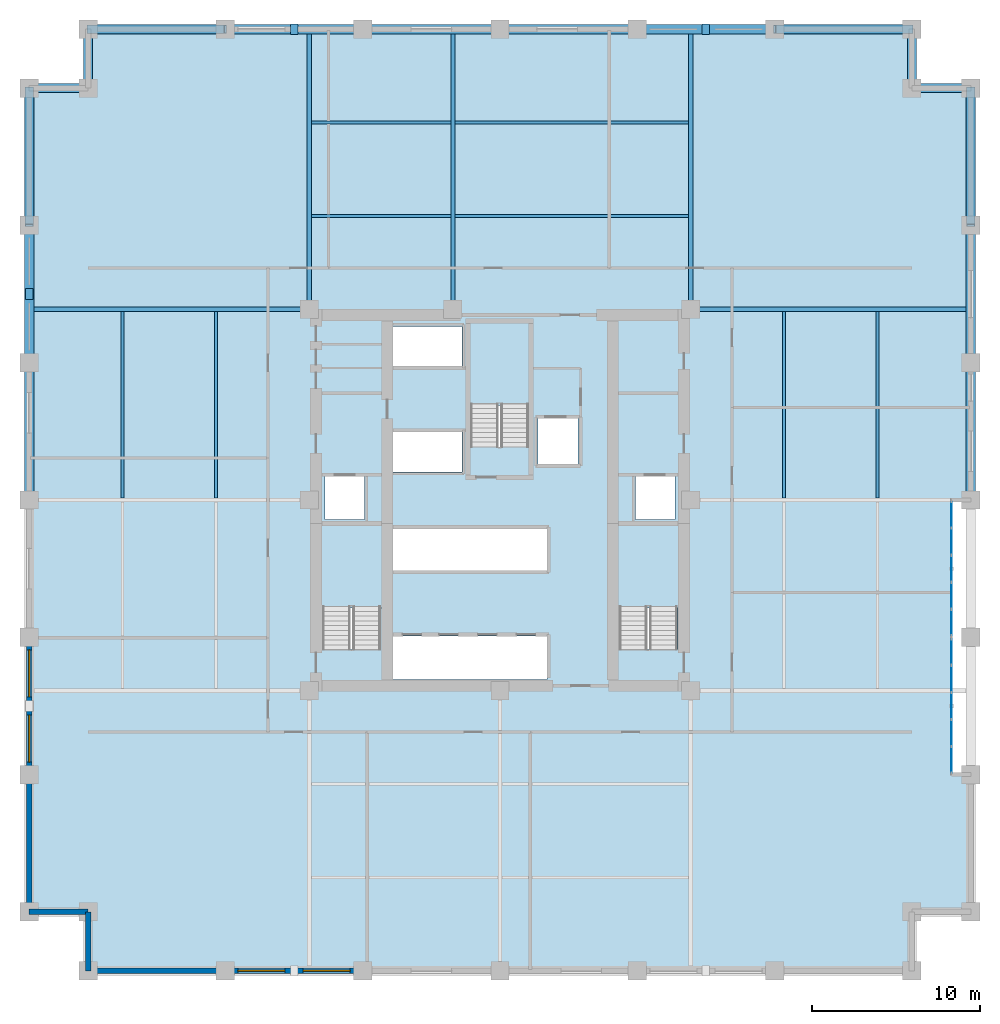
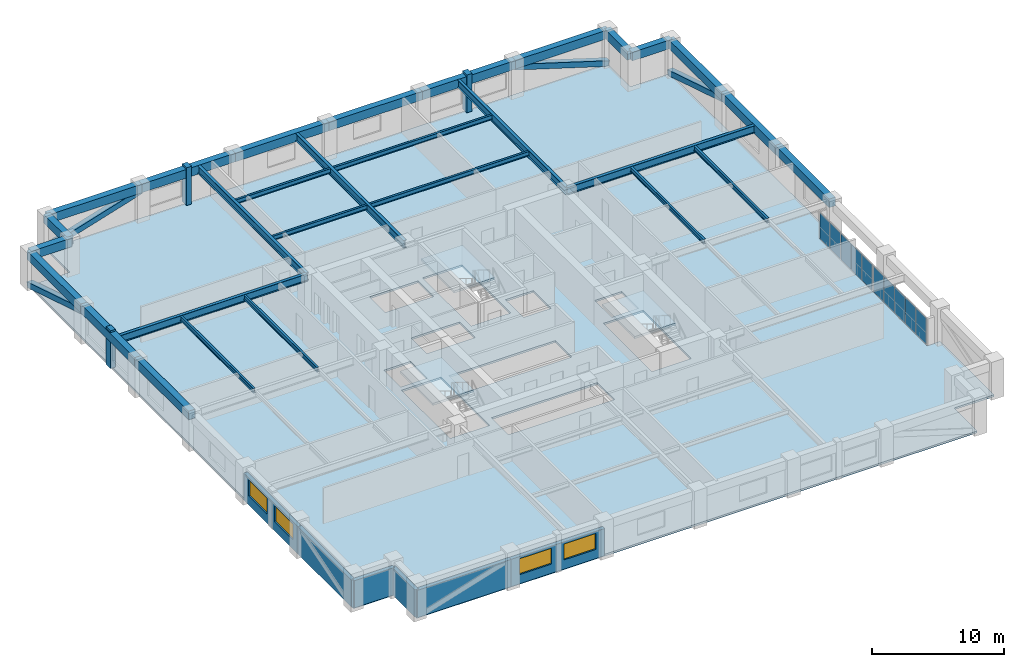
# One storey, part 3 of 10: 29 beams, 10 plates, 7 members, 6 walls, 4 slabs, 4 windows, 4 openings, 5 elements without a shape of their own.
"""IFC4 building model written with IfcOpenShell, lengths in metres."""

import ifcopenshell
import ifcopenshell.guid

model = None  # the IFC model being written
_history = None  # IfcOwnerHistory: only IFC2X3 demands one
_inside = {}  # id of a spatial element -> (the spatial element, [elements in it])
_under = {}  # id of a project, library or spatial element -> (it, [spatial elements below it])
_declared = {}  # id of a project -> (the project, [libraries it declares])
_typed = {}  # id of a type object -> (the type object, [elements of that type])
_made_of = {}  # id of a material, layer set ... -> (it, [elements and type objects made of it])


def new_model(schema):
    """Start an empty IFC model of exactly this schema.

    Asked for "IFC4X3", IfcOpenShell would pick the latest addendum, in which some entities
    have other attributes; the version numbers below select the first issue.
    IFC2X3 requires an IfcOwnerHistory on every rooted entity: one is made here for all.
    """
    global model, _history
    if schema == "IFC4X3":
        model = ifcopenshell.file(schema_version=(4, 3, 0, 0))
    else:
        model = ifcopenshell.file(schema=schema)
    _inside.clear()
    _under.clear()
    _declared.clear()
    _typed.clear()
    _made_of.clear()
    _history = None
    if model.schema == "IFC2X3":
        org = make("IfcOrganization", Name="unknown")
        user = make(
            "IfcPersonAndOrganization",
            ThePerson=make("IfcPerson", FamilyName="unknown"),
            TheOrganization=org,
        )
        app = make(
            "IfcApplication",
            ApplicationDeveloper=org,
            Version="unknown",
            ApplicationFullName="unknown",
            ApplicationIdentifier="unknown",
        )
        _history = make(
            "IfcOwnerHistory",
            OwningUser=user,
            OwningApplication=app,
            ChangeAction="ADDED",
            CreationDate=0,
        )
    return model


def make(cls, **values):
    """One entity of the class cls with the attributes given. An attribute that is None is left unset."""
    return model.create_entity(
        cls, **{name: value for name, value in values.items() if value is not None}
    )


def rooted(cls, **values):
    """An entity with a GlobalId (a new one), such as an element, a storey or a relation."""
    return make(cls, GlobalId=ifcopenshell.guid.new(), OwnerHistory=_history, **values)


def si_unit(unit_type, name, prefix=None):
    """IfcSIUnit, for example si_unit("LENGTHUNIT", "METRE", prefix="MILLI")."""
    return make("IfcSIUnit", UnitType=unit_type, Prefix=prefix, Name=name)


def assignment(units):
    """IfcUnitAssignment: the units of a project."""
    return None if units is None else make("IfcUnitAssignment", Units=units)


def point(xyz):
    """IfcCartesianPoint."""
    return None if xyz is None else make("IfcCartesianPoint", Coordinates=xyz)


def direction(xyz):
    """IfcDirection."""
    return None if xyz is None else make("IfcDirection", DirectionRatios=xyz)


def frame(location, z_axis=None, x_axis=None):
    """IfcAxis2Placement3D, a coordinate frame: its origin and axes. An axis left out is left unset."""
    return make(
        "IfcAxis2Placement3D",
        Location=point(location),
        Axis=direction(z_axis),
        RefDirection=direction(x_axis),
    )


def frame_2d(location, x_axis=None):
    """IfcAxis2Placement2D, a coordinate frame in the plane: its origin and x axis."""
    return make(
        "IfcAxis2Placement2D", Location=point(location), RefDirection=direction(x_axis)
    )


def origin():
    """The frame at (0, 0, 0) with its axes left unset."""
    return frame((0.0, 0.0, 0.0))


def origin_2d():
    """The frame at (0, 0) in the plane with its x axis left unset."""
    return frame_2d((0.0, 0.0))


def place(relative_to, where):
    """IfcLocalPlacement: puts the frame where relative to a parent placement (None: the world)."""
    return make(
        "IfcLocalPlacement", PlacementRelTo=relative_to, RelativePlacement=where
    )


def context(
    kind, dimensions, precision=None, world=None, true_north=None, identifier=None
):
    """IfcGeometricRepresentationContext, for example the 3D "Model" context."""
    return make(
        "IfcGeometricRepresentationContext",
        ContextIdentifier=identifier,
        ContextType=kind,
        CoordinateSpaceDimension=dimensions,
        Precision=precision,
        WorldCoordinateSystem=world,
        TrueNorth=true_north,
    )


def subcontext(parent, identifier, kind, view, scale=None):
    """IfcGeometricRepresentationSubContext, for example "Body" below "Model"."""
    return make(
        "IfcGeometricRepresentationSubContext",
        ContextIdentifier=identifier,
        ContextType=kind,
        ParentContext=parent,
        TargetScale=scale,
        TargetView=view,
    )


def project(units=None, contexts=None):
    """IfcProject with its units and contexts."""
    return rooted(
        "IfcProject",
        Name="project",
        RepresentationContexts=contexts,
        UnitsInContext=assignment(units),
    )


def spatial(cls, under=None, at=None, **own):
    """A site, building, storey or space (cls), placed at a placement, below another one or the project."""
    s = rooted(cls, ObjectPlacement=at, **own)
    if under is not None:
        _under.setdefault(under.id(), (under, []))[1].append(s)
    return s


def polyline(points):
    """IfcPolyline through the points."""
    return make("IfcPolyline", Points=[point(p) for p in points])


def profile(cls, at=None, kind="AREA", **sizes):
    """A parametric profile (cls). Its sizes go by their IFC names, for example OverallWidth=200.0."""
    return make(cls, ProfileType=kind, Position=at, **sizes)


def rectangle(**sizes):
    """IfcRectangleProfileDef."""
    return profile("IfcRectangleProfileDef", **sizes)


def hollow_rectangle(**sizes):
    """IfcRectangleHollowProfileDef."""
    return profile("IfcRectangleHollowProfileDef", **sizes)


def i_section(**sizes):
    """IfcIShapeProfileDef."""
    return profile("IfcIShapeProfileDef", **sizes)


def outline(outer, holes=None, kind="AREA"):
    """IfcArbitraryClosedProfileDef: a profile drawn as a closed curve; with holes, ...WithVoids."""
    if holes is None:
        return make("IfcArbitraryClosedProfileDef", ProfileType=kind, OuterCurve=outer)
    return make(
        "IfcArbitraryProfileDefWithVoids",
        ProfileType=kind,
        OuterCurve=outer,
        InnerCurves=holes,
    )


def extrude(swept, where, along, depth):
    """IfcExtrudedAreaSolid: the profile swept, set in the frame where, extruded along a direction by depth."""
    return make(
        "IfcExtrudedAreaSolid",
        SweptArea=swept,
        Position=where,
        ExtrudedDirection=direction(along),
        Depth=depth,
    )


def shape(context_of_items, identifier, shape_type, items):
    """IfcShapeRepresentation: the items that make up one representation, for example the "Body"."""
    return make(
        "IfcShapeRepresentation",
        ContextOfItems=context_of_items,
        RepresentationIdentifier=identifier,
        RepresentationType=shape_type,
        Items=items,
    )


def material(Name=None, Category=None):
    """IfcMaterial."""
    return make("IfcMaterial", Name=Name, Category=Category)


def layer(
    of_material, thickness, ventilated=None, Name=None, Category=None, Priority=None
):
    """IfcMaterialLayer: one layer of a wall or slab, of a material (None: an air gap)."""
    return make(
        "IfcMaterialLayer",
        Material=of_material,
        LayerThickness=thickness,
        IsVentilated=ventilated,
        Name=Name,
        Category=Category,
        Priority=Priority,
    )


def layer_set(layers, Name=None):
    """IfcMaterialLayerSet."""
    return make("IfcMaterialLayerSet", MaterialLayers=layers, LayerSetName=Name)


def material_profile(
    of_material, cross_section, Name=None, Category=None, Priority=None
):
    """IfcMaterialProfile: a cross section and its material."""
    return make(
        "IfcMaterialProfile",
        Name=Name,
        Material=of_material,
        Profile=cross_section,
        Priority=Priority,
        Category=Category,
    )


def profile_set(profiles, Name=None, composite=None):
    """IfcMaterialProfileSet."""
    return make(
        "IfcMaterialProfileSet",
        Name=Name,
        MaterialProfiles=profiles,
        CompositeProfile=composite,
    )


def made_of(thing, what):
    """Note that an element or type object is made of a material, layer set ...; save() writes the relation."""
    if what is not None:
        _made_of.setdefault(what.id(), (what, []))[1].append(thing)
    return thing


def type_object(cls, material=None, **own):
    """A type object (cls), such as IfcWallType, which elements share."""
    return made_of(rooted(cls, **own), material)


def element(
    cls,
    number,
    at=None,
    inside=None,
    cuts=None,
    type_object=None,
    material=None,
    context=None,
    identifier="Body",
    shape_type=None,
    held_by="IfcProductDefinitionShape",
    body=None,
    shapes=None,
    **own,
):
    """One element of the class cls, such as IfcWall. Its Tag is "e" and its number.

    at: its placement. inside: the storey or other place that contains it. cuts: it is an
    opening in that element (IfcRelVoidsElement). A single representation is given by context,
    identifier, shape_type and body (its items); several are given by shapes. held_by: the class
    of the entity that holds the representations. save() writes the other relations.
    """
    e = rooted(cls, Tag="e%d" % number, ObjectPlacement=at, **own)
    if body is not None:
        shapes = [shape(context, identifier, shape_type, body)]
    if shapes is not None:
        e.Representation = make(held_by, Representations=shapes)
    if inside is not None:
        _inside.setdefault(inside.id(), (inside, []))[1].append(e)
    if cuts is not None:
        rooted(
            "IfcRelVoidsElement", RelatingBuildingElement=cuts, RelatedOpeningElement=e
        )
    if type_object is not None:
        _typed.setdefault(type_object.id(), (type_object, []))[1].append(e)
    return made_of(e, material)


def fill(opening, filler):
    """IfcRelFillsElement: the door or window that sits in an opening."""
    return rooted(
        "IfcRelFillsElement",
        RelatingOpeningElement=opening,
        RelatedBuildingElement=filler,
    )


def aggregate(whole, parts):
    """IfcRelAggregates: a whole, such as a stair, and the parts it consists of."""
    return rooted("IfcRelAggregates", RelatingObject=whole, RelatedObjects=parts)


def save(model, path):
    """Write the relations noted so far, then the file.

    IfcRelAggregates (storeys below a building ...), IfcRelContainedInSpatialStructure (elements
    in a storey), IfcRelDefinesByType, IfcRelAssociatesMaterial and IfcRelDeclares: one each for
    every whole, place, type object, material and project.
    """
    for whole, parts in _under.values():
        aggregate(whole, parts)
    for where, things in _inside.values():
        rooted(
            "IfcRelContainedInSpatialStructure",
            RelatedElements=things,
            RelatingStructure=where,
        )
    for kind, things in _typed.values():
        rooted("IfcRelDefinesByType", RelatedObjects=things, RelatingType=kind)
    for what, things in _made_of.values():
        rooted("IfcRelAssociatesMaterial", RelatedObjects=things, RelatingMaterial=what)
    for by, libraries in _declared.values():
        rooted("IfcRelDeclares", RelatingContext=by, RelatedDefinitions=libraries)
    model.write(path)


model = new_model("IFC4")

# Units and contexts
model_context = context("Model", 3, precision=1e-05, world=origin(), true_north=direction((0.0, 1.0)))
body_context = subcontext(model_context, "Body", "Model", "MODEL_VIEW")
ifc_project = project(units=[si_unit("LENGTHUNIT", "METRE"), si_unit("AREAUNIT", "SQUARE_METRE"), si_unit("VOLUMEUNIT", "CUBIC_METRE"), si_unit("PLANEANGLEUNIT", "RADIAN"), si_unit("MASSUNIT", "GRAM", prefix="KILO")], contexts=[model_context])

# Site, building, storey
site_placement = place(None, origin())
site = spatial("IfcSite", under=ifc_project, at=site_placement, CompositionType="ELEMENT")
building_placement = place(site_placement, origin())
building = spatial("IfcBuilding", under=site, at=building_placement, Name="Nhamokura Convention Tower", CompositionType="ELEMENT")
storey_placement = place(building_placement, frame((0.0, 0.0, 89.25)))
storey = spatial("IfcBuildingStorey", under=building, at=storey_placement, Name="L21", CompositionType="ELEMENT", Elevation=89.25)

# Members
ifc_material_1 = material(Name="Bronze-pigmented precast concrete C45/55", Category="concrete")
ifc_material_profile_1 = material_profile(ifc_material_1, rectangle(XDim=0.449951171875, YDim=0.64990234375, at=origin_2d()))
ifc_profile_set_1 = profile_set([ifc_material_profile_1], Name="Bronze-pigmented precast concrete C45/55")
member_type_1 = type_object("IfcMemberType", Name="BronzePilaster_650", PredefinedType="USERDEFINED", material=ifc_profile_set_1)
for number, where, z_axis, x_axis, name in (
    (1, (19.75, 60.0, 0.0), (0.0, 0.0, 1.0), (1.0, 0.0, 0.0), "L21 Engaged Frame Pilaster NORTH 1"),
    (2, (44.25, 60.0, 0.0), (0.0, 0.0, 1.0), (1.0, 0.0, 0.0), "L21 Engaged Frame Pilaster NORTH 4"),
    (3, (4.0, 44.25, 0.0), (0.0, 0.0, 1.0), (1.0, 0.0, 0.0), "L21 Engaged Frame Pilaster WEST 4"),
):
    element("IfcMember", number, at=place(storey_placement, frame(where, z_axis=z_axis, x_axis=x_axis)), inside=storey, type_object=member_type_1, Name=name, ObjectType="PILASTER_TRIM", PredefinedType="USERDEFINED", context=body_context, shape_type="SweptSolid", body=[
        extrude(rectangle(XDim=0.449951171875, YDim=0.64990234375, at=origin_2d()), origin(), (0.0, 0.0, 1.0), 3.5),
    ])

# Beams
ifc_material_2 = material(Name="Steel ASTM A992 Gr 50", Category="steel")
ifc_material_profile_2 = material_profile(ifc_material_2, i_section(OverallWidth=0.178955078125, OverallDepth=0.409912109375, WebThickness=0.0087890625, FlangeThickness=0.014404296875, at=origin_2d()))
ifc_profile_set_2 = profile_set([ifc_material_profile_2], Name="Steel ASTM A992 Gr 50")
beam_type_1 = type_object("IfcBeamType", Name="FloorJoist_W410X67", PredefinedType="JOIST", material=ifc_profile_set_2)
beam_1_placement = place(storey_placement, frame((20.77587890625, 48.89990234375, 3.114990234375), z_axis=(1.0, 0.0, 0.0), x_axis=(0.0, 1.0, 0.0)))
element("IfcBeam", 4, at=beam_1_placement, inside=storey, type_object=beam_type_1, Name="L21 Composite Floor Joist N1A", PredefinedType="JOIST", context=body_context, shape_type="SweptSolid", body=[
    extrude(i_section(OverallWidth=0.178955078125, OverallDepth=0.409912109375, WebThickness=0.0087890625, FlangeThickness=0.014404296875, at=origin_2d()), origin(), (0.0, 0.0, 1.0), 8.298095703125),
])
beam_2_placement = place(storey_placement, frame((29.325927734375, 48.89990234375, 3.114990234375), z_axis=(1.0, 0.0, 0.0), x_axis=(0.0, 1.0, 0.0)))
element("IfcBeam", 5, at=beam_2_placement, inside=storey, type_object=beam_type_1, Name="L21 Composite Floor Joist N1B", PredefinedType="JOIST", context=body_context, shape_type="SweptSolid", body=[
    extrude(i_section(OverallWidth=0.178955078125, OverallDepth=0.409912109375, WebThickness=0.0087890625, FlangeThickness=0.014404296875, at=origin_2d()), origin(), (0.0, 0.0, 1.0), 13.898193359375),
])
beam_3_placement = place(storey_placement, frame((20.77587890625, 54.449951171875, 3.114990234375), z_axis=(1.0, 0.0, 0.0), x_axis=(0.0, 1.0, 0.0)))
element("IfcBeam", 6, at=beam_3_placement, inside=storey, type_object=beam_type_1, Name="L21 Composite Floor Joist N2A", PredefinedType="JOIST", context=body_context, shape_type="SweptSolid", body=[
    extrude(i_section(OverallWidth=0.178955078125, OverallDepth=0.409912109375, WebThickness=0.0087890625, FlangeThickness=0.014404296875, at=origin_2d()), origin(), (0.0, 0.0, 1.0), 8.298095703125),
])
beam_4_placement = place(storey_placement, frame((29.325927734375, 54.449951171875, 3.114990234375), z_axis=(1.0, 0.0, 0.0), x_axis=(0.0, 1.0, 0.0)))
element("IfcBeam", 7, at=beam_4_placement, inside=storey, type_object=beam_type_1, Name="L21 Composite Floor Joist N2B", PredefinedType="JOIST", context=body_context, shape_type="SweptSolid", body=[
    extrude(i_section(OverallWidth=0.178955078125, OverallDepth=0.409912109375, WebThickness=0.0087890625, FlangeThickness=0.014404296875, at=origin_2d()), origin(), (0.0, 0.0, 1.0), 13.898193359375),
])
for number, where, z_axis, x_axis, name in (
    (8, (9.550048828125, 32.1259765625, 3.114990234375), (0.0, 1.0, 0.0), (-1.0, 0.0, 0.0), "L21 Composite Floor Joist W1B"),
    (9, (15.10009765625, 32.1259765625, 3.114990234375), (0.0, 1.0, 0.0), (-1.0, 0.0, 0.0), "L21 Composite Floor Joist W2B"),
    (10, (48.89990234375, 32.1259765625, 3.114990234375), (0.0, 1.0, 0.0), (-1.0, 0.0, 0.0), "L21 Composite Floor Joist E1B"),
    (11, (54.449951171875, 32.1259765625, 3.114990234375), (0.0, 1.0, 0.0), (-1.0, 0.0, 0.0), "L21 Composite Floor Joist E2B"),
):
    element("IfcBeam", number, at=place(storey_placement, frame(where, z_axis=z_axis, x_axis=x_axis)), inside=storey, type_object=beam_type_1, Name=name, PredefinedType="JOIST", context=body_context, shape_type="SweptSolid", body=[
        extrude(i_section(OverallWidth=0.178955078125, OverallDepth=0.409912109375, WebThickness=0.0087890625, FlangeThickness=0.014404296875, at=origin_2d()), origin(), (0.0, 0.0, 1.0), 11.09814453125),
    ])
ifc_material_3 = material(Name="Steel ASTM A992 Gr 50", Category="steel")
ifc_material_profile_3 = material_profile(ifc_material_3, i_section(OverallWidth=0.256103515625, OverallDepth=0.693115234375, WebThickness=0.014404296875, FlangeThickness=0.023681640625, at=origin_2d()))
ifc_profile_set_3 = profile_set([ifc_material_profile_3], Name="Steel ASTM A992 Gr 50")
beam_type_2 = type_object("IfcBeamType", Name="PrimaryGirder_W690X170", PredefinedType="BEAM", material=ifc_profile_set_3)
for number, where, z_axis, x_axis, name in (
    (12, (20.64990234375, 43.35009765625, 2.973388671875), (0.0, 1.0, 0.0), (-1.0, 0.0, 0.0), "L21 Primary Floor Girder PG-N1"),
    (13, (29.199951171875, 43.35009765625, 2.973388671875), (0.0, 1.0, 0.0), (-1.0, 0.0, 0.0), "L21 Primary Floor Girder PG-N2"),
    (14, (43.35009765625, 43.35009765625, 2.973388671875), (0.0, 1.0, 0.0), (-1.0, 0.0, 0.0), "L21 Primary Floor Girder PG-N3"),
    (15, (4.0, 43.35009765625, 2.973388671875), (1.0, 0.0, 0.0), (0.0, 1.0, 0.0), "L21 Primary Floor Girder PG-W3"),
    (16, (43.35009765625, 43.35009765625, 2.973388671875), (1.0, 0.0, 0.0), (0.0, 1.0, 0.0), "L21 Primary Floor Girder PG-E3"),
):
    element("IfcBeam", number, at=place(storey_placement, frame(where, z_axis=z_axis, x_axis=x_axis)), inside=storey, type_object=beam_type_2, Name=name, PredefinedType="BEAM", context=body_context, shape_type="SweptSolid", body=[
        extrude(i_section(OverallWidth=0.256103515625, OverallDepth=0.693115234375, WebThickness=0.014404296875, FlangeThickness=0.023681640625, at=origin_2d()), origin(), (0.0, 0.0, 1.0), 16.64990234375),
    ])

# Members
ifc_material_4 = material(Name="Steel ASTM A572 Gr 50", Category="steel")
ifc_material_profile_4 = material_profile(ifc_material_4, hollow_rectangle(XDim=0.5, YDim=0.5, WallThickness=0.02490234375, at=origin_2d()))
ifc_profile_set_4 = profile_set([ifc_material_profile_4], Name="Steel ASTM A572 Gr 50")
member_type_2 = type_object("IfcMemberType", Name="TubeBrace_HSS500", PredefinedType="BRACE", material=ifc_profile_set_4)
for number, where, z_axis, x_axis, name in (
    (17, (7.5, 60.0, 0.14990234375), (0.955542765986, 0.0, 0.294852543437), (0.0, 1.0, 0.0), "L21 Perimeter Tube Brace NORTH Bay 0"),
    (18, (56.5, 60.0, 0.14990234375), (-0.955542765986, 0.0, 0.294852543437), (0.0, -1.0, 0.0), "L21 Perimeter Tube Brace NORTH Bay 5"),
    (19, (4.0, 56.5, 0.14990234375), (0.0, -0.955542765986, 0.294852543437), (1.0, 0.0, 0.0), "L21 Perimeter Tube Brace WEST Bay 5"),
    (20, (60.0, 56.5, 0.14990234375), (0.0, -0.955542765986, 0.294852543437), (1.0, 0.0, 0.0), "L21 Perimeter Tube Brace EAST Bay 5"),
):
    element("IfcMember", number, at=place(storey_placement, frame(where, z_axis=z_axis, x_axis=x_axis)), inside=storey, type_object=member_type_2, Name=name, PredefinedType="BRACE", context=body_context, shape_type="SweptSolid", body=[
        extrude(hollow_rectangle(XDim=0.5, YDim=0.5, WallThickness=0.02490234375, at=origin_2d()), origin(), (0.0, 0.0, 1.0), 8.546630859375),
    ])

# Beams
ifc_material_5 = material(Name="Concrete C50/60", Category="concrete")
ifc_material_profile_5 = material_profile(ifc_material_5, rectangle(XDim=0.550048828125, YDim=0.800048828125, at=origin_2d()))
ifc_profile_set_5 = profile_set([ifc_material_profile_5], Name="Concrete C50/60")
beam_type_3 = type_object("IfcBeamType", Name="TubeSpandrel_800", PredefinedType="SPANDREL", material=ifc_profile_set_5)
beam_5_placement = place(storey_placement, frame((7.5, 60.0, 2.919921875), z_axis=(1.0, 0.0, 0.0), x_axis=(0.0, 1.0, 0.0)))
element("IfcBeam", 21, at=beam_5_placement, inside=storey, type_object=beam_type_3, Name="L21 Perimeter Spandrel NORTH 1", PredefinedType="SPANDREL", context=body_context, shape_type="SweptSolid", body=[
    extrude(rectangle(XDim=0.550048828125, YDim=0.800048828125, at=origin_2d()), origin(), (0.0, 0.0, 1.0), 8.166748046875),
])
beam_6_placement = place(storey_placement, frame((15.666748046875, 60.0, 2.919921875), z_axis=(1.0, 0.0, 0.0), x_axis=(0.0, 1.0, 0.0)))
element("IfcBeam", 22, at=beam_6_placement, inside=storey, type_object=beam_type_3, Name="L21 Perimeter Spandrel NORTH 2", PredefinedType="SPANDREL", context=body_context, shape_type="SweptSolid", body=[
    extrude(rectangle(XDim=0.550048828125, YDim=0.800048828125, at=origin_2d()), origin(), (0.0, 0.0, 1.0), 8.16650390625),
])
for number, where, z_axis, x_axis, name in (
    (23, (23.833251953125, 60.0, 2.919921875), (1.0, 0.0, 0.0), (0.0, 1.0, 0.0), "L21 Perimeter Spandrel NORTH 3"),
    (24, (32.0, 60.0, 2.919921875), (1.0, 0.0, 0.0), (0.0, 1.0, 0.0), "L21 Perimeter Spandrel NORTH 4"),
):
    element("IfcBeam", number, at=place(storey_placement, frame(where, z_axis=z_axis, x_axis=x_axis)), inside=storey, type_object=beam_type_3, Name=name, PredefinedType="SPANDREL", context=body_context, shape_type="SweptSolid", body=[
        extrude(rectangle(XDim=0.550048828125, YDim=0.800048828125, at=origin_2d()), origin(), (0.0, 0.0, 1.0), 8.166748046875),
    ])
beam_7_placement = place(storey_placement, frame((40.166748046875, 60.0, 2.919921875), z_axis=(1.0, 0.0, 0.0), x_axis=(0.0, 1.0, 0.0)))
element("IfcBeam", 25, at=beam_7_placement, inside=storey, type_object=beam_type_3, Name="L21 Perimeter Spandrel NORTH 5", PredefinedType="SPANDREL", context=body_context, shape_type="SweptSolid", body=[
    extrude(rectangle(XDim=0.550048828125, YDim=0.800048828125, at=origin_2d()), origin(), (0.0, 0.0, 1.0), 8.16650390625),
])
for number, where, z_axis, x_axis, name in (
    (26, (48.333251953125, 60.0, 2.919921875), (1.0, 0.0, 0.0), (0.0, 1.0, 0.0), "L21 Perimeter Spandrel NORTH 6"),
    (27, (4.0, 32.0, 2.919921875), (0.0, 1.0, 0.0), (-1.0, 0.0, 0.0), "L21 Perimeter Spandrel WEST 4"),
):
    element("IfcBeam", number, at=place(storey_placement, frame(where, z_axis=z_axis, x_axis=x_axis)), inside=storey, type_object=beam_type_3, Name=name, PredefinedType="SPANDREL", context=body_context, shape_type="SweptSolid", body=[
        extrude(rectangle(XDim=0.550048828125, YDim=0.800048828125, at=origin_2d()), origin(), (0.0, 0.0, 1.0), 8.166748046875),
    ])
beam_8_placement = place(storey_placement, frame((4.0, 40.166748046875, 2.919921875), z_axis=(0.0, 1.0, 0.0), x_axis=(-1.0, 0.0, 0.0)))
element("IfcBeam", 28, at=beam_8_placement, inside=storey, type_object=beam_type_3, Name="L21 Perimeter Spandrel WEST 5", PredefinedType="SPANDREL", context=body_context, shape_type="SweptSolid", body=[
    extrude(rectangle(XDim=0.550048828125, YDim=0.800048828125, at=origin_2d()), origin(), (0.0, 0.0, 1.0), 8.16650390625),
])
for number, where, z_axis, x_axis, name in (
    (29, (4.0, 48.333251953125, 2.919921875), (0.0, 1.0, 0.0), (-1.0, 0.0, 0.0), "L21 Perimeter Spandrel WEST 6"),
    (30, (60.0, 32.0, 2.919921875), (0.0, 1.0, 0.0), (-1.0, 0.0, 0.0), "L21 Perimeter Spandrel EAST 4"),
):
    element("IfcBeam", number, at=place(storey_placement, frame(where, z_axis=z_axis, x_axis=x_axis)), inside=storey, type_object=beam_type_3, Name=name, PredefinedType="SPANDREL", context=body_context, shape_type="SweptSolid", body=[
        extrude(rectangle(XDim=0.550048828125, YDim=0.800048828125, at=origin_2d()), origin(), (0.0, 0.0, 1.0), 8.166748046875),
    ])
beam_9_placement = place(storey_placement, frame((60.0, 40.166748046875, 2.919921875), z_axis=(0.0, 1.0, 0.0), x_axis=(-1.0, 0.0, 0.0)))
element("IfcBeam", 31, at=beam_9_placement, inside=storey, type_object=beam_type_3, Name="L21 Perimeter Spandrel EAST 5", PredefinedType="SPANDREL", context=body_context, shape_type="SweptSolid", body=[
    extrude(rectangle(XDim=0.550048828125, YDim=0.800048828125, at=origin_2d()), origin(), (0.0, 0.0, 1.0), 8.16650390625),
])
beam_10_placement = place(storey_placement, frame((60.0, 48.333251953125, 2.919921875), z_axis=(0.0, 1.0, 0.0), x_axis=(-1.0, 0.0, 0.0)))
element("IfcBeam", 32, at=beam_10_placement, inside=storey, type_object=beam_type_3, Name="L21 Perimeter Spandrel EAST 6", PredefinedType="SPANDREL", context=body_context, shape_type="SweptSolid", body=[
    extrude(rectangle(XDim=0.550048828125, YDim=0.800048828125, at=origin_2d()), origin(), (0.0, 0.0, 1.0), 8.166748046875),
])
for number, where, z_axis, x_axis, name in (
    (33, (60.0, 56.5, 2.919921875), (-1.0, 0.0, 0.0), (0.0, -1.0, 0.0), "L21 Notch Spandrel NE1"),
    (34, (56.5, 56.5, 2.919921875), (0.0, 1.0, 0.0), (-1.0, 0.0, 0.0), "L21 Notch Spandrel NE2"),
    (35, (7.5, 60.0, 2.919921875), (0.0, -1.0, 0.0), (1.0, 0.0, 0.0), "L21 Notch Spandrel NW1"),
    (36, (7.5, 56.5, 2.919921875), (-1.0, 0.0, 0.0), (0.0, -1.0, 0.0), "L21 Notch Spandrel NW2"),
):
    element("IfcBeam", number, at=place(storey_placement, frame(where, z_axis=z_axis, x_axis=x_axis)), inside=storey, type_object=beam_type_3, Name=name, PredefinedType="SPANDREL", context=body_context, shape_type="SweptSolid", body=[
        extrude(rectangle(XDim=0.550048828125, YDim=0.800048828125, at=origin_2d()), origin(), (0.0, 0.0, 1.0), 3.5),
    ])

# Curtain wall, plates
ifc_material_6 = material(Name="Anodised bronze aluminium AA6063-T6", Category="aluminium")
ifc_layer_1 = layer(ifc_material_6, 0.1650390625)
ifc_layer_set_1 = layer_set([ifc_layer_1], Name="CWSystem_ScaleSlot_Zone1")
curtain_wall_type = type_object("IfcCurtainWallType", Name="CWSystem_ScaleSlot_Zone1", PredefinedType="NOTDEFINED", material=ifc_layer_set_1)
curtain_wall_1_placement = place(storey_placement, origin())
curtain_wall_1 = element("IfcCurtainWall", 37, at=curtain_wall_1_placement, inside=storey, type_object=curtain_wall_type, Name="L21 Curtain Wall ENV-L21-SLOT-E1", PredefinedType="NOTDEFINED")
ifc_material_7 = material(Name="Solar-control bronze low-E double glass", Category="glass")
ifc_layer_2 = layer(ifc_material_7, 0.031982421875)
ifc_layer_set_2 = layer_set([ifc_layer_2], Name="CWGlazedPanel_1")
plate_type = type_object("IfcPlateType", Name="CWGlazedPanel_1", PredefinedType="CURTAIN_PANEL", material=ifc_layer_set_2)
plate_1_placement = place(storey_placement, frame((58.85009765625, 22.952392578125, 0.06494140625), z_axis=(0.0, 0.0, 1.0), x_axis=(0.0, -1.0, 0.0)))
plate_1 = element("IfcPlate", 38, at=plate_1_placement, type_object=plate_type, Name="CW-03 panel 1.1", PredefinedType="CURTAIN_PANEL", context=body_context, shape_type="SweptSolid", body=[
    extrude(rectangle(XDim=1.51171875, YDim=0.031982421875, at=origin_2d()), origin(), (0.0, 0.0, 1.0), 2.389892578125),
])
plate_2_placement = place(storey_placement, frame((58.85009765625, 21.359375, 0.06494140625), z_axis=(0.0, 0.0, 1.0), x_axis=(0.0, -1.0, 0.0)))
plate_2 = element("IfcPlate", 39, at=plate_2_placement, type_object=plate_type, Name="CW-03 panel 2.1", PredefinedType="CURTAIN_PANEL", context=body_context, shape_type="SweptSolid", body=[
    extrude(rectangle(XDim=1.54443359375, YDim=0.031982421875, at=origin_2d()), origin(), (0.0, 0.0, 1.0), 2.389892578125),
])
plate_3_placement = place(storey_placement, frame((58.85009765625, 19.75, 0.06494140625), z_axis=(0.0, 0.0, 1.0), x_axis=(0.0, -1.0, 0.0)))
plate_3 = element("IfcPlate", 40, at=plate_3_placement, type_object=plate_type, Name="CW-03 panel 3.1", PredefinedType="CURTAIN_PANEL", context=body_context, shape_type="SweptSolid", body=[
    extrude(rectangle(XDim=1.54443359375, YDim=0.031982421875, at=origin_2d()), origin(), (0.0, 0.0, 1.0), 2.389892578125),
])
plate_4_placement = place(storey_placement, frame((58.85009765625, 18.140625, 0.06494140625), z_axis=(0.0, 0.0, 1.0), x_axis=(0.0, -1.0, 0.0)))
plate_4 = element("IfcPlate", 41, at=plate_4_placement, type_object=plate_type, Name="CW-03 panel 4.1", PredefinedType="CURTAIN_PANEL", context=body_context, shape_type="SweptSolid", body=[
    extrude(rectangle(XDim=1.54443359375, YDim=0.031982421875, at=origin_2d()), origin(), (0.0, 0.0, 1.0), 2.389892578125),
])
plate_5_placement = place(storey_placement, frame((58.85009765625, 16.547607421875, 0.06494140625), z_axis=(0.0, 0.0, 1.0), x_axis=(0.0, -1.0, 0.0)))
plate_5 = element("IfcPlate", 42, at=plate_5_placement, type_object=plate_type, Name="CW-03 panel 5.1", PredefinedType="CURTAIN_PANEL", context=body_context, shape_type="SweptSolid", body=[
    extrude(rectangle(XDim=1.51171875, YDim=0.031982421875, at=origin_2d()), origin(), (0.0, 0.0, 1.0), 2.389892578125),
])
aggregate(curtain_wall_1, [plate_1, plate_2, plate_3, plate_4, plate_5])

curtain_wall_2_placement = place(storey_placement, origin())
curtain_wall_2 = element("IfcCurtainWall", 43, at=curtain_wall_2_placement, inside=storey, type_object=curtain_wall_type, Name="L21 Curtain Wall ENV-L21-SLOT-E2", PredefinedType="NOTDEFINED")
plate_6_placement = place(storey_placement, frame((58.85009765625, 31.119140625, 0.06494140625), z_axis=(0.0, 0.0, 1.0), x_axis=(0.0, -1.0, 0.0)))
plate_6 = element("IfcPlate", 44, at=plate_6_placement, type_object=plate_type, Name="CW-03 panel 1.1", PredefinedType="CURTAIN_PANEL", context=body_context, shape_type="SweptSolid", body=[
    extrude(rectangle(XDim=1.51171875, YDim=0.031982421875, at=origin_2d()), origin(), (0.0, 0.0, 1.0), 2.389892578125),
])
plate_7_placement = place(storey_placement, frame((58.85009765625, 29.52587890625, 0.06494140625), z_axis=(0.0, 0.0, 1.0), x_axis=(0.0, -1.0, 0.0)))
plate_7 = element("IfcPlate", 45, at=plate_7_placement, type_object=plate_type, Name="CW-03 panel 2.1", PredefinedType="CURTAIN_PANEL", context=body_context, shape_type="SweptSolid", body=[
    extrude(rectangle(XDim=1.54443359375, YDim=0.031982421875, at=origin_2d()), origin(), (0.0, 0.0, 1.0), 2.389892578125),
])
plate_8_placement = place(storey_placement, frame((58.85009765625, 27.916748046875, 0.06494140625), z_axis=(0.0, 0.0, 1.0), x_axis=(0.0, -1.0, 0.0)))
plate_8 = element("IfcPlate", 46, at=plate_8_placement, type_object=plate_type, Name="CW-03 panel 3.1", PredefinedType="CURTAIN_PANEL", context=body_context, shape_type="SweptSolid", body=[
    extrude(rectangle(XDim=1.54443359375, YDim=0.031982421875, at=origin_2d()), origin(), (0.0, 0.0, 1.0), 2.389892578125),
])
plate_9_placement = place(storey_placement, frame((58.85009765625, 26.307373046875, 0.06494140625), z_axis=(0.0, 0.0, 1.0), x_axis=(0.0, -1.0, 0.0)))
plate_9 = element("IfcPlate", 47, at=plate_9_placement, type_object=plate_type, Name="CW-03 panel 4.1", PredefinedType="CURTAIN_PANEL", context=body_context, shape_type="SweptSolid", body=[
    extrude(rectangle(XDim=1.54443359375, YDim=0.031982421875, at=origin_2d()), origin(), (0.0, 0.0, 1.0), 2.389892578125),
])
plate_10_placement = place(storey_placement, frame((58.85009765625, 24.714111328125, 0.06494140625), z_axis=(0.0, 0.0, 1.0), x_axis=(0.0, -1.0, 0.0)))
plate_10 = element("IfcPlate", 48, at=plate_10_placement, type_object=plate_type, Name="CW-03 panel 5.1", PredefinedType="CURTAIN_PANEL", context=body_context, shape_type="SweptSolid", body=[
    extrude(rectangle(XDim=1.51171875, YDim=0.031982421875, at=origin_2d()), origin(), (0.0, 0.0, 1.0), 2.389892578125),
])
aggregate(curtain_wall_2, [plate_6, plate_7, plate_8, plate_9, plate_10])

# Slab
ifc_material_8 = material(Name="Concrete C40/50", Category="concrete")
ifc_layer_3 = layer(ifc_material_8, 0.179931640625)
ifc_layer_set_3 = layer_set([ifc_layer_3], Name="HotelFloorSlab_180")
slab_type_1 = type_object("IfcSlabType", Name="HotelFloorSlab_180", PredefinedType="FLOOR", material=ifc_layer_set_3)
slab_1_placement = place(storey_placement, frame((0.0, 0.0, -0.179931640625)))
element("IfcSlab", 49, at=slab_1_placement, inside=storey, type_object=slab_type_1, Name="L21 Structural Floor Slab", PredefinedType="FLOOR", context=body_context, shape_type="SweptSolid", body=[
    extrude(outline(polyline([(7.5, 4.0), (56.5, 4.0), (56.5, 7.5), (60.0, 7.5), (60.0, 15.666748046875), (58.85009765625, 15.666748046875), (58.85009765625, 32.0), (60.0, 32.0), (60.0, 56.5), (56.5, 56.5), (56.5, 60.0), (7.5, 60.0), (7.5, 56.5), (4.0, 56.5), (4.0, 7.5), (7.5, 7.5), (7.5, 4.0)]), holes=[polyline([(24.89990234375, 23.10009765625), (24.89990234375, 30.449951171875), (21.449951171875, 30.449951171875), (21.449951171875, 23.10009765625), (24.89990234375, 23.10009765625)]), polyline([(42.550048828125, 23.10009765625), (42.550048828125, 30.449951171875), (39.10009765625, 30.449951171875), (39.10009765625, 23.10009765625), (42.550048828125, 23.10009765625)]), polyline([(33.699951171875, 35.14990234375), (33.699951171875, 42.5), (30.25, 42.5), (30.25, 35.14990234375), (33.699951171875, 35.14990234375)]), polyline([(21.60009765625, 30.85009765625), (23.949951171875, 30.85009765625), (23.949951171875, 33.39990234375), (21.60009765625, 33.39990234375), (21.60009765625, 30.85009765625)]), polyline([(40.050048828125, 30.85009765625), (42.39990234375, 30.85009765625), (42.39990234375, 33.39990234375), (40.050048828125, 33.39990234375), (40.050048828125, 30.85009765625)]), polyline([(34.25, 34.14990234375), (36.64990234375, 34.14990234375), (36.64990234375, 36.85009765625), (34.25, 36.85009765625), (34.25, 34.14990234375)]), polyline([(25.52001953125, 21.320068359375), (34.800048828125, 21.320068359375), (34.800048828125, 23.89990234375), (25.52001953125, 23.89990234375), (25.52001953125, 21.320068359375)]), polyline([(25.52001953125, 27.800048828125), (34.800048828125, 27.800048828125), (34.800048828125, 30.300048828125), (25.52001953125, 30.300048828125), (25.52001953125, 27.800048828125)]), polyline([(25.52001953125, 33.679931640625), (29.75, 33.679931640625), (29.75, 36.050048828125), (25.52001953125, 36.050048828125), (25.52001953125, 33.679931640625)]), polyline([(25.52001953125, 39.949951171875), (29.75, 39.949951171875), (29.75, 42.320068359375), (25.52001953125, 42.320068359375), (25.52001953125, 39.949951171875)])]), origin(), (0.0, 0.0, 1.0), 0.179931640625),
])

# Stair, slab
ifc_material_9 = material(Name="Concrete C40/50", Category="concrete")
stair_type = type_object("IfcStairType", Name="TowerCoreStair_1650", PredefinedType="HALF_TURN_STAIR", material=ifc_material_9)
stair_1_placement = place(storey_placement, origin())
stair_1 = element("IfcStair", 50, at=stair_1_placement, inside=storey, type_object=stair_type, Name="L21 West Core Smokeproof Stair ST-01", PredefinedType="HALF_TURN_STAIR")
ifc_material_10 = material(Name="Concrete C40/50", Category="concrete")
ifc_layer_4 = layer(ifc_material_10, 0.199951171875)
ifc_layer_set_4 = layer_set([ifc_layer_4], Name="StairLandingSlab_200")
slab_type_2 = type_object("IfcSlabType", Name="StairLandingSlab_200", PredefinedType="LANDING", material=ifc_layer_set_4)
slab_2_placement = place(storey_placement, frame((0.0, 0.0, 1.550048828125)))
slab_2 = element("IfcSlab", 51, at=slab_2_placement, type_object=slab_type_2, Name="ST-01 landing 1", PredefinedType="LANDING", context=body_context, shape_type="SweptSolid", body=[
    extrude(outline(polyline([(24.97998046875, 25.5849609375), (24.97998046875, 30.530029296875), (21.3701171875, 30.530029296875), (21.3701171875, 25.5849609375), (24.97998046875, 25.5849609375)])), origin(), (0.0, 0.0, 1.0), 0.199951171875),
])
aggregate(stair_1, [slab_2])

stair_2_placement = place(storey_placement, origin())
stair_2 = element("IfcStair", 52, at=stair_2_placement, inside=storey, type_object=stair_type, Name="L21 East Core Smokeproof Stair ST-02", PredefinedType="HALF_TURN_STAIR")
slab_3_placement = place(storey_placement, frame((0.0, 0.0, 1.550048828125)))
slab_3 = element("IfcSlab", 53, at=slab_3_placement, type_object=slab_type_2, Name="ST-02 landing 1", PredefinedType="LANDING", context=body_context, shape_type="SweptSolid", body=[
    extrude(outline(polyline([(42.6298828125, 25.5849609375), (42.6298828125, 30.530029296875), (39.02001953125, 30.530029296875), (39.02001953125, 25.5849609375), (42.6298828125, 25.5849609375)])), origin(), (0.0, 0.0, 1.0), 0.199951171875),
])
aggregate(stair_2, [slab_3])

stair_3_placement = place(storey_placement, origin())
stair_3 = element("IfcStair", 54, at=stair_3_placement, inside=storey, type_object=stair_type, Name="L21 North Core Smokeproof Stair ST-03", PredefinedType="HALF_TURN_STAIR")
slab_4_placement = place(storey_placement, frame((0.0, 0.0, 1.550048828125)))
slab_4 = element("IfcSlab", 55, at=slab_4_placement, type_object=slab_type_2, Name="ST-03 landing 1", PredefinedType="LANDING", context=body_context, shape_type="SweptSolid", body=[
    extrude(outline(polyline([(33.780029296875, 37.635009765625), (33.780029296875, 42.580078125), (30.169921875, 42.580078125), (30.169921875, 37.635009765625), (33.780029296875, 37.635009765625)])), origin(), (0.0, 0.0, 1.0), 0.199951171875),
])
aggregate(stair_3, [slab_4])

# Wall
ifc_material_11 = material(Name="Bronze-pigmented precast concrete C45/55", Category="concrete")
ifc_layer_5 = layer(ifc_material_11, 0.320068359375)
ifc_layer_set_5 = layer_set([ifc_layer_5], Name="BronzePrecastSpandrel_320")
wall_type = type_object("IfcWallType", Name="BronzePrecastSpandrel_320", PredefinedType="USERDEFINED", material=ifc_layer_set_5)
wall_1_placement = place(storey_placement, frame((15.666748046875, 4.0, 0.0), z_axis=(0.0, 0.0, 1.0), x_axis=(-1.0, 0.0, 0.0)))
element("IfcWall", 56, at=wall_1_placement, inside=storey, type_object=wall_type, Name="L21 Braced-Bay Precast Wall SOUTH 0", ObjectType="SPANDREL_WALL", PredefinedType="USERDEFINED", context=body_context, shape_type="SweptSolid", body=[
    extrude(rectangle(XDim=8.166748046875, YDim=0.320068359375, at=frame_2d((4.08349609375, 0.0))), origin(), (0.0, 0.0, 1.0), 2.52001953125),
])

# Wall, openings, windows
wall_2_placement = place(storey_placement, frame((23.833251953125, 4.0, 0.0), z_axis=(0.0, 0.0, 1.0), x_axis=(-1.0, 0.0, 0.0)))
wall_2 = element("IfcWall", 57, at=wall_2_placement, inside=storey, type_object=wall_type, Name="L21 Masonry-Frame Wall SOUTH 1", ObjectType="SPANDREL_WALL", PredefinedType="USERDEFINED", context=body_context, shape_type="SweptSolid", body=[
    extrude(rectangle(XDim=8.16650390625, YDim=0.320068359375, at=frame_2d((4.083251953125, 0.0))), origin(), (0.0, 0.0, 1.0), 2.52001953125),
])
opening_1_placement = place(wall_2_placement, frame((0.74169921875, 0.0, 0.85009765625)))
opening_1 = element("IfcOpeningElement", 58, at=opening_1_placement, cuts=wall_2, Name="Opening W-04", PredefinedType="OPENING", context=body_context, shape_type="SweptSolid", body=[
    extrude(rectangle(XDim=2.800048828125, YDim=1.469970703125, at=frame_2d((1.39990234375, 0.73486328125))), frame((0.0, 0.169921875, 0.0), z_axis=(0.0, -1.0, 0.0), x_axis=(1.0, 0.0, 0.0)), (0.0, 0.0, 1.0), 0.340087890625),
])
opening_2_placement = place(wall_2_placement, frame((4.625, 0.0, 0.85009765625)))
opening_2 = element("IfcOpeningElement", 59, at=opening_2_placement, cuts=wall_2, Name="Opening W-04", PredefinedType="OPENING", context=body_context, shape_type="SweptSolid", body=[
    extrude(rectangle(XDim=2.800048828125, YDim=1.469970703125, at=frame_2d((1.39990234375, 0.73486328125))), frame((0.0, 0.169921875, 0.0), z_axis=(0.0, -1.0, 0.0), x_axis=(1.0, 0.0, 0.0)), (0.0, 0.0, 1.0), 0.340087890625),
])
ifc_material_12 = material(Name="Solar-control bronze low-E double glass", Category="glass")
window_type = type_object("IfcWindowType", Name="HotelSuiteWindow_2800", PartitioningType="DOUBLE_PANEL_VERTICAL", PredefinedType="WINDOW", material=ifc_material_12)
window_1_placement = place(opening_1_placement, origin())
window_1 = element("IfcWindow", 60, at=window_1_placement, inside=storey, type_object=window_type, Name="L21 Facade Window SOUTH 1-1", OverallHeight=1.469970703125, OverallWidth=2.800048828125, PartitioningType="SINGLE_PANEL", PredefinedType="WINDOW", context=body_context, shape_type="SweptSolid", body=[
    extrude(rectangle(XDim=2.800048828125, YDim=1.469970703125, at=frame_2d((1.39990234375, 0.73486328125))), frame((0.0, 0.030029296875, 0.0), z_axis=(0.0, -1.0, 0.0), x_axis=(1.0, 0.0, 0.0)), (0.0, 0.0, 1.0), 0.06005859375),
])
fill(opening_1, window_1)
window_2_placement = place(opening_2_placement, origin())
window_2 = element("IfcWindow", 61, at=window_2_placement, inside=storey, type_object=window_type, Name="L21 Facade Window SOUTH 1-2", OverallHeight=1.469970703125, OverallWidth=2.800048828125, PartitioningType="SINGLE_PANEL", PredefinedType="WINDOW", context=body_context, shape_type="SweptSolid", body=[
    extrude(rectangle(XDim=2.800048828125, YDim=1.469970703125, at=frame_2d((1.39990234375, 0.73486328125))), frame((0.0, 0.030029296875, 0.0), z_axis=(0.0, -1.0, 0.0), x_axis=(1.0, 0.0, 0.0)), (0.0, 0.0, 1.0), 0.06005859375),
])
fill(opening_2, window_2)

# Wall
wall_3_placement = place(storey_placement, frame((4.0, 7.5, 0.0), z_axis=(0.0, 0.0, 1.0), x_axis=(0.0, 1.0, 0.0)))
element("IfcWall", 62, at=wall_3_placement, inside=storey, type_object=wall_type, Name="L21 Braced-Bay Precast Wall WEST 0", ObjectType="SPANDREL_WALL", PredefinedType="USERDEFINED", context=body_context, shape_type="SweptSolid", body=[
    extrude(rectangle(XDim=8.166748046875, YDim=0.320068359375, at=frame_2d((4.08349609375, 0.0))), origin(), (0.0, 0.0, 1.0), 2.52001953125),
])

# Wall, openings, windows
wall_4_placement = place(storey_placement, frame((4.0, 15.666748046875, 0.0), z_axis=(0.0, 0.0, 1.0), x_axis=(0.0, 1.0, 0.0)))
wall_4 = element("IfcWall", 63, at=wall_4_placement, inside=storey, type_object=wall_type, Name="L21 Masonry-Frame Wall WEST 1", ObjectType="SPANDREL_WALL", PredefinedType="USERDEFINED", context=body_context, shape_type="SweptSolid", body=[
    extrude(rectangle(XDim=8.16650390625, YDim=0.320068359375, at=frame_2d((4.083251953125, 0.0))), origin(), (0.0, 0.0, 1.0), 2.52001953125),
])
opening_3_placement = place(wall_4_placement, frame((0.74169921875, 0.0, 0.85009765625)))
opening_3 = element("IfcOpeningElement", 64, at=opening_3_placement, cuts=wall_4, Name="Opening W-04", PredefinedType="OPENING", context=body_context, shape_type="SweptSolid", body=[
    extrude(rectangle(XDim=2.800048828125, YDim=1.469970703125, at=frame_2d((1.39990234375, 0.73486328125))), frame((0.0, 0.169921875, 0.0), z_axis=(0.0, -1.0, 0.0), x_axis=(1.0, 0.0, 0.0)), (0.0, 0.0, 1.0), 0.340087890625),
])
opening_4_placement = place(wall_4_placement, frame((4.625, 0.0, 0.85009765625)))
opening_4 = element("IfcOpeningElement", 65, at=opening_4_placement, cuts=wall_4, Name="Opening W-04", PredefinedType="OPENING", context=body_context, shape_type="SweptSolid", body=[
    extrude(rectangle(XDim=2.800048828125, YDim=1.469970703125, at=frame_2d((1.39990234375, 0.73486328125))), frame((0.0, 0.169921875, 0.0), z_axis=(0.0, -1.0, 0.0), x_axis=(1.0, 0.0, 0.0)), (0.0, 0.0, 1.0), 0.340087890625),
])
window_3_placement = place(opening_3_placement, origin())
window_3 = element("IfcWindow", 66, at=window_3_placement, inside=storey, type_object=window_type, Name="L21 Facade Window WEST 1-1", OverallHeight=1.469970703125, OverallWidth=2.800048828125, PartitioningType="SINGLE_PANEL", PredefinedType="WINDOW", context=body_context, shape_type="SweptSolid", body=[
    extrude(rectangle(XDim=2.800048828125, YDim=1.469970703125, at=frame_2d((1.39990234375, 0.73486328125))), frame((0.0, 0.030029296875, 0.0), z_axis=(0.0, -1.0, 0.0), x_axis=(1.0, 0.0, 0.0)), (0.0, 0.0, 1.0), 0.06005859375),
])
fill(opening_3, window_3)
window_4_placement = place(opening_4_placement, origin())
window_4 = element("IfcWindow", 67, at=window_4_placement, inside=storey, type_object=window_type, Name="L21 Facade Window WEST 1-2", OverallHeight=1.469970703125, OverallWidth=2.800048828125, PartitioningType="SINGLE_PANEL", PredefinedType="WINDOW", context=body_context, shape_type="SweptSolid", body=[
    extrude(rectangle(XDim=2.800048828125, YDim=1.469970703125, at=frame_2d((1.39990234375, 0.73486328125))), frame((0.0, 0.030029296875, 0.0), z_axis=(0.0, -1.0, 0.0), x_axis=(1.0, 0.0, 0.0)), (0.0, 0.0, 1.0), 0.06005859375),
])
fill(opening_4, window_4)

# Walls
for number, where, z_axis, x_axis, name in (
    (68, (7.5, 4.0, 0.0), (0.0, 0.0, 1.0), (0.0, 1.0, 0.0), "L21 Notched Corner Wall SW1"),
    (69, (7.5, 7.5, 0.0), (0.0, 0.0, 1.0), (-1.0, 0.0, 0.0), "L21 Notched Corner Wall SW2"),
):
    element("IfcWall", number, at=place(storey_placement, frame(where, z_axis=z_axis, x_axis=x_axis)), inside=storey, type_object=wall_type, Name=name, ObjectType="SPANDREL_WALL", PredefinedType="USERDEFINED", context=body_context, shape_type="SweptSolid", body=[
        extrude(rectangle(XDim=3.5, YDim=0.320068359375, at=frame_2d((1.75, 0.0))), origin(), (0.0, 0.0, 1.0), 2.52001953125),
    ])

save(model, "model.ifc")
